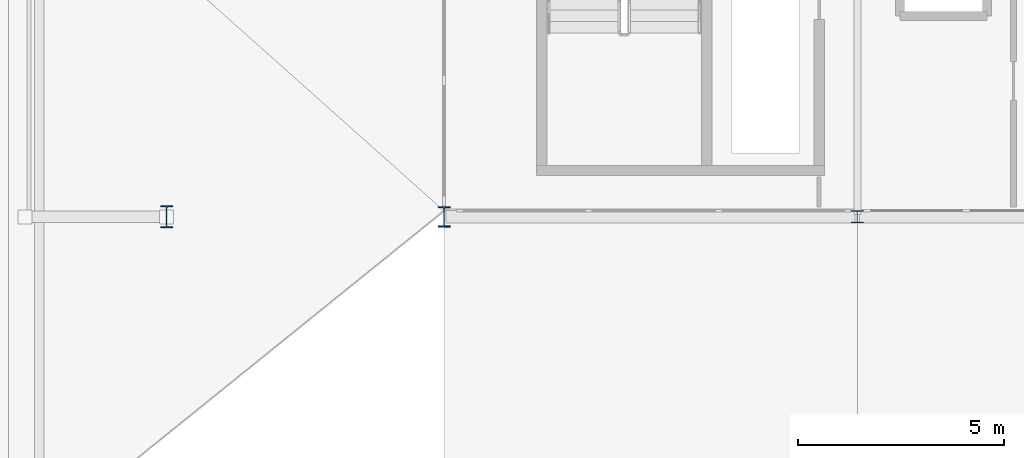
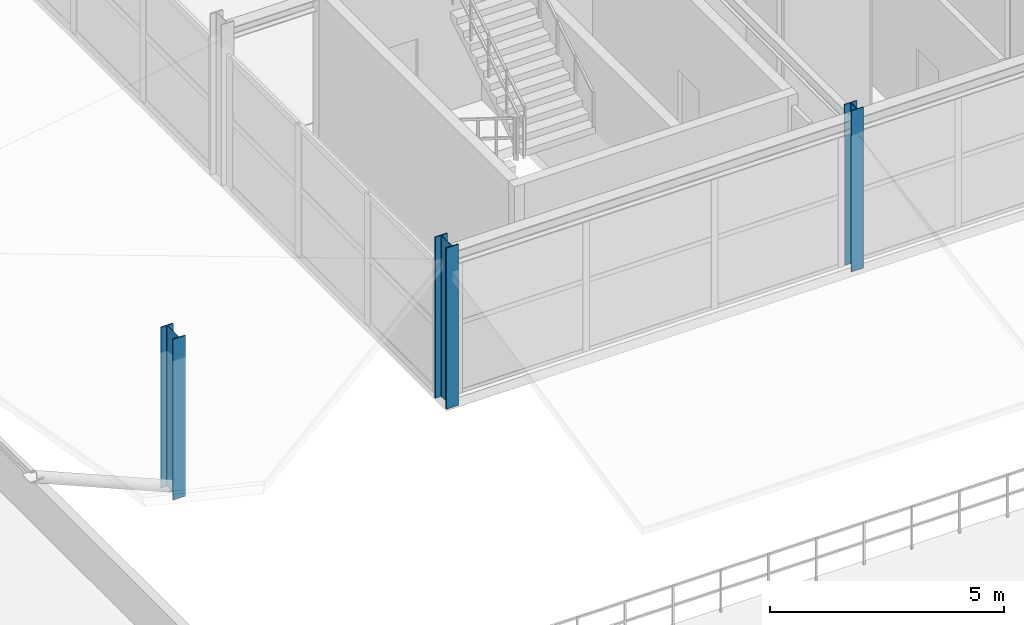
# One storey, part 1 of 81: 3 columns.
"""IFC4 building model written with IfcOpenShell, lengths in metres."""

from ifc_helpers import new_model, si_unit, direction, frame, origin, origin_2d, place, context, subcontext, project, spatial, i_section, extrude, material, material_profile, profile_set, type_object, element, save


model = new_model("IFC4")

# Units and contexts
model_context = context("Model", 3, precision=1e-05, world=origin(), true_north=direction((0.0, 1.0)))
body_context = subcontext(model_context, "Body", "Model", "MODEL_VIEW")
ifc_project = project(units=[si_unit("LENGTHUNIT", "METRE"), si_unit("AREAUNIT", "SQUARE_METRE"), si_unit("VOLUMEUNIT", "CUBIC_METRE"), si_unit("PLANEANGLEUNIT", "RADIAN"), si_unit("MASSUNIT", "GRAM", prefix="KILO")], contexts=[model_context])

# Site, building, storey
site_placement = place(None, origin())
site = spatial("IfcSite", under=ifc_project, at=site_placement, CompositionType="ELEMENT")
building_placement = place(site_placement, origin())
building = spatial("IfcBuilding", under=site, at=building_placement, Name="Myrtia Square Station", CompositionType="ELEMENT")
storey_placement = place(building_placement, frame((0.0, 0.0, 10.800048828125)))
storey = spatial("IfcBuildingStorey", under=building, at=storey_placement, Name="L02", CompositionType="ELEMENT", Elevation=10.800048828125)

# Columns
ifc_material = material(Name="Steel S355", Category="steel")
ifc_material_profile_1 = material_profile(ifc_material, i_section(OverallWidth=0.300048828125, OverallDepth=0.5400390625, WebThickness=0.012451171875, FlangeThickness=0.02392578125, FilletRadius=0.027099609375, at=origin_2d()), Name="HEA 550")
ifc_profile_set_1 = profile_set([ifc_material_profile_1], Name="Steel S355")
column_type_1 = type_object("IfcColumnType", Name="COL-HEA550", PredefinedType="COLUMN", material=ifc_profile_set_1)
column_1_placement = place(storey_placement, frame((72.60009765625, 28.800048828125, 0.0), z_axis=(0.0, 0.0, 1.0), x_axis=(1.0, 0.0, 0.0)))
element("IfcColumn", 1, at=column_1_placement, inside=storey, type_object=column_type_1, Name="Column L02-0244", PredefinedType="COLUMN", context=body_context, shape_type="SweptSolid", body=[
    extrude(i_section(OverallWidth=0.300048828125, OverallDepth=0.5400390625, WebThickness=0.012451171875, FlangeThickness=0.02392578125, FilletRadius=0.027099609375, at=origin_2d()), origin(), (0.0, 0.0, 1.0), 4.199951171875),
])
ifc_material_profile_2 = material_profile(ifc_material, i_section(OverallWidth=0.300048828125, OverallDepth=0.300048828125, WebThickness=0.010986328125, FlangeThickness=0.01904296875, FilletRadius=0.027099609375, at=origin_2d()), Name="HEB 300")
ifc_profile_set_2 = profile_set([ifc_material_profile_2], Name="Steel S355")
column_type_2 = type_object("IfcColumnType", Name="COL-HEB300", PredefinedType="COLUMN", material=ifc_profile_set_2)
column_2_placement = place(storey_placement, frame((89.39990234375, 28.800048828125, 0.0), z_axis=(0.0, 0.0, 1.0), x_axis=(1.0, 0.0, 0.0)))
element("IfcColumn", 2, at=column_2_placement, inside=storey, type_object=column_type_2, Name="Column L02-0420", PredefinedType="COLUMN", context=body_context, shape_type="SweptSolid", body=[
    extrude(i_section(OverallWidth=0.300048828125, OverallDepth=0.300048828125, WebThickness=0.010986328125, FlangeThickness=0.01904296875, FilletRadius=0.027099609375, at=origin_2d()), origin(), (0.0, 0.0, 1.0), 4.199951171875),
])
ifc_material_profile_3 = material_profile(ifc_material, i_section(OverallWidth=0.300048828125, OverallDepth=0.5, WebThickness=0.014404296875, FlangeThickness=0.028076171875, FilletRadius=0.027099609375, at=origin_2d()), Name="HEB 500")
ifc_profile_set_3 = profile_set([ifc_material_profile_3], Name="Steel S355")
column_type_3 = type_object("IfcColumnType", Name="COL-HEB500", PredefinedType="COLUMN", material=ifc_profile_set_3)
column_3_placement = place(storey_placement, frame((79.35009765625, 28.800048828125, 0.0), z_axis=(0.0, 0.0, 1.0), x_axis=(1.0, 0.0, 0.0)))
element("IfcColumn", 3, at=column_3_placement, inside=storey, type_object=column_type_3, Name="Column L02-0254", PredefinedType="COLUMN", context=body_context, shape_type="SweptSolid", body=[
    extrude(i_section(OverallWidth=0.300048828125, OverallDepth=0.5, WebThickness=0.014404296875, FlangeThickness=0.028076171875, FilletRadius=0.027099609375, at=origin_2d()), origin(), (0.0, 0.0, 1.0), 4.199951171875),
])

save(model, "model.ifc")
